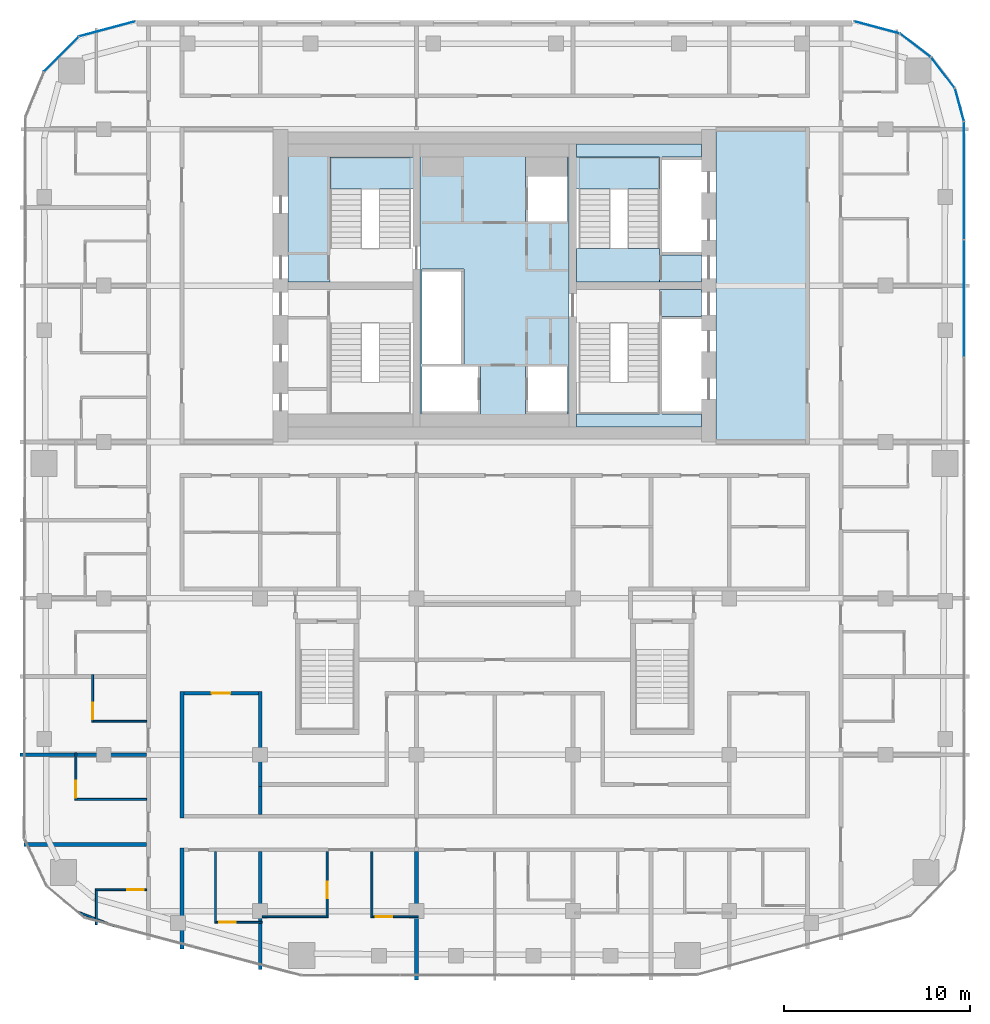
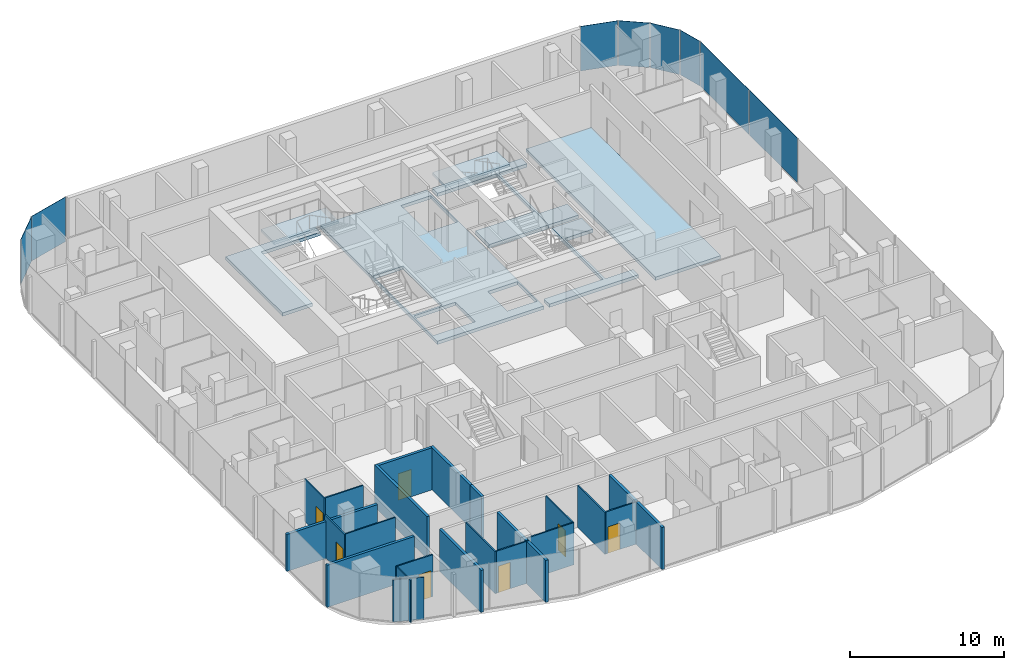
# One storey, part 13 of 22: 22 walls, 8 plates, 8 slabs, 7 doors, 7 openings, 9 elements without a shape of their own.
"""IFC4 building model written with IfcOpenShell, lengths in metres."""

from ifc_helpers import new_model, si_unit, direction, frame, frame_2d, origin, origin_2d, place, context, subcontext, project, spatial, polyline, rectangle, outline, extrude, material, layer, layer_set, type_object, element, fill, aggregate, save


model = new_model("IFC4")

# Units and contexts
model_context = context("Model", 3, precision=1e-05, world=origin(), true_north=direction((0.0, 1.0)))
body_context = subcontext(model_context, "Body", "Model", "MODEL_VIEW")
ifc_project = project(units=[si_unit("LENGTHUNIT", "METRE"), si_unit("AREAUNIT", "SQUARE_METRE"), si_unit("VOLUMEUNIT", "CUBIC_METRE"), si_unit("PLANEANGLEUNIT", "RADIAN"), si_unit("MASSUNIT", "GRAM", prefix="KILO")], contexts=[model_context])

# Site, building, storey
site_placement = place(None, origin())
site = spatial("IfcSite", under=ifc_project, at=site_placement, CompositionType="ELEMENT")
building_placement = place(site_placement, origin())
building = spatial("IfcBuilding", under=site, at=building_placement, Name="Marenta Gate Hotel Tower", CompositionType="ELEMENT")
storey_placement = place(building_placement, frame((0.0, 0.0, 223.699951171875)))
storey = spatial("IfcBuildingStorey", under=building, at=storey_placement, Name="L52", CompositionType="ELEMENT", Elevation=223.699951171875)

# Slabs
ifc_material_1 = material(Name="Concrete C40", Category="concrete")
ifc_layer_1 = layer(ifc_material_1, 0.260009765625)
ifc_layer_set_1 = layer_set([ifc_layer_1], Name="Concrete C40")
slab_type_1 = type_object("IfcSlabType", Name="Core floor slab 260", PredefinedType="FLOOR", material=ifc_layer_set_1)
slab_1_placement = place(storey_placement, frame((0.0, 0.0, -0.260009765625)))
element("IfcSlab", 1, at=slab_1_placement, inside=storey, type_object=slab_type_1, Name="L52-CF-1", PredefinedType="FLOOR", context=body_context, shape_type="SweptSolid", body=[
    extrude(outline(polyline([(11.89990234375, 0.0), (11.89990234375, 16.800048828125), (16.800048828125, 16.800048828125), (16.800048828125, 0.0), (11.89990234375, 0.0)])), origin(), (0.0, 0.0, 1.0), 0.260009765625),
])
slab_2_placement = place(storey_placement, frame((0.0, 0.0, -0.260009765625)))
element("IfcSlab", 2, at=slab_2_placement, inside=storey, type_object=slab_type_1, Name="L52-CF-2", PredefinedType="FLOOR", context=body_context, shape_type="SweptSolid", body=[
    extrude(outline(polyline([(8.85009765625, 1.5), (8.85009765625, 6.39990234375), (8.85009765625, 8.10009765625), (8.85009765625, 8.199951171875), (11.10009765625, 8.199951171875), (11.10009765625, 6.75), (9.0, 6.75), (9.0, 6.60009765625), (9.0, 4.199951171875), (9.0, 4.050048828125), (9.0, 1.64990234375), (9.0, 1.5), (11.10009765625, 1.5), (11.10009765625, 0.800048828125), (4.39990234375, 0.800048828125), (4.39990234375, 1.5), (8.85009765625, 1.5)])), origin(), (0.0, 0.0, 1.0), 0.260009765625),
])
slab_3_placement = place(storey_placement, frame((0.0, 0.0, -0.260009765625)))
element("IfcSlab", 3, at=slab_3_placement, inside=storey, type_object=slab_type_1, Name="L52-CF-3", PredefinedType="FLOOR", context=body_context, shape_type="SweptSolid", body=[
    extrude(outline(polyline([(8.85009765625, 15.300048828125), (4.39990234375, 15.300048828125), (4.39990234375, 16.0), (11.10009765625, 16.0), (11.10009765625, 15.300048828125), (9.0, 15.300048828125), (9.0, 15.14990234375), (9.0, 12.75), (9.0, 12.60009765625), (9.0, 10.199951171875), (9.0, 10.050048828125), (11.10009765625, 10.050048828125), (11.10009765625, 8.60009765625), (8.85009765625, 8.60009765625), (8.85009765625, 8.699951171875), (8.85009765625, 10.39990234375), (8.85009765625, 15.300048828125)])), origin(), (0.0, 0.0, 1.0), 0.260009765625),
])
slab_4_placement = place(storey_placement, frame((0.0, 0.0, -0.260009765625)))
element("IfcSlab", 4, at=slab_4_placement, inside=storey, type_object=slab_type_1, Name="L52-CF-4", PredefinedType="FLOOR", context=body_context, shape_type="SweptSolid", body=[
    extrude(outline(polyline([(4.0, 15.300048828125), (4.0, 10.39990234375), (4.0, 6.39990234375), (4.0, 1.5), (4.0, 0.800048828125), (-4.0, 0.800048828125), (-4.0, 1.5), (-4.0, 6.39990234375), (-4.0, 10.39990234375), (-4.0, 15.300048828125), (-4.0, 16.0), (4.0, 16.0), (4.0, 15.300048828125)]), holes=[polyline([(1.64990234375, 14.25), (1.64990234375, 11.85009765625), (1.800048828125, 11.85009765625), (3.89990234375, 11.85009765625), (3.89990234375, 14.25), (3.89990234375, 15.300048828125), (1.64990234375, 15.300048828125), (1.64990234375, 14.25)]), polyline([(3.89990234375, 1.64990234375), (3.89990234375, 4.050048828125), (1.800048828125, 4.050048828125), (1.64990234375, 4.050048828125), (1.64990234375, 1.64990234375), (1.64990234375, 1.5), (3.89990234375, 1.5), (3.89990234375, 1.64990234375)]), polyline([(-3.89990234375, 1.64990234375), (-3.89990234375, 1.5), (-0.89990234375, 1.5), (-0.75, 1.5), (-0.75, 4.050048828125), (-0.89990234375, 4.050048828125), (-3.89990234375, 4.050048828125), (-3.89990234375, 1.64990234375)]), polyline([(-1.800048828125, 4.199951171875), (-1.64990234375, 4.199951171875), (-1.64990234375, 9.14990234375), (-1.64990234375, 9.300048828125), (-3.89990234375, 9.300048828125), (-3.89990234375, 9.14990234375), (-3.89990234375, 6.75), (-3.89990234375, 6.60009765625), (-3.89990234375, 4.199951171875), (-1.800048828125, 4.199951171875)])]), origin(), (0.0, 0.0, 1.0), 0.260009765625),
])
slab_5_placement = place(storey_placement, frame((0.0, 0.0, -0.260009765625)))
element("IfcSlab", 5, at=slab_5_placement, inside=storey, type_object=slab_type_1, Name="L52-CF-6", PredefinedType="FLOOR", context=body_context, shape_type="SweptSolid", body=[
    extrude(outline(polyline([(-4.39990234375, 15.300048828125), (-8.85009765625, 15.300048828125), (-8.85009765625, 10.39990234375), (-8.85009765625, 8.699951171875), (-8.85009765625, 8.60009765625), (-11.10009765625, 8.60009765625), (-11.10009765625, 16.0), (-4.39990234375, 16.0), (-4.39990234375, 15.300048828125)])), origin(), (0.0, 0.0, 1.0), 0.260009765625),
])

# Stair, slab
ifc_material_2 = material(Name="Concrete C40", Category="concrete")
stair_type = type_object("IfcStairType", Name="Core exit stair 1700 wide", PredefinedType="HALF_TURN_STAIR", material=ifc_material_2)
stair_1_placement = place(storey_placement, origin())
stair_1 = element("IfcStair", 6, at=stair_1_placement, inside=storey, type_object=stair_type, Name="Exit stair 2", PredefinedType="HALF_TURN_STAIR")
ifc_material_3 = material(Name="Concrete C40", Category="concrete")
ifc_layer_2 = layer(ifc_material_3, 0.199951171875)
ifc_layer_set_2 = layer_set([ifc_layer_2], Name="Concrete C40")
slab_type_2 = type_object("IfcSlabType", Name="Core stair landing 200", PredefinedType="LANDING", material=ifc_layer_set_2)
slab_6_placement = place(storey_placement, frame((0.0, 0.0, 1.60009765625)))
slab_6 = element("IfcSlab", 7, at=slab_6_placement, type_object=slab_type_2, Name="SL-200 ST2 landing 1", PredefinedType="LANDING", context=body_context, shape_type="SweptSolid", body=[
    extrude(outline(polyline([(-8.85009765625, 13.590087890625), (-4.0, 13.590087890625), (-4.0, 15.300048828125), (-8.85009765625, 15.300048828125), (-8.85009765625, 13.590087890625)])), origin(), (0.0, 0.0, 1.0), 0.199951171875),
])
aggregate(stair_1, [slab_6])

stair_2_placement = place(storey_placement, origin())
stair_2 = element("IfcStair", 8, at=stair_2_placement, inside=storey, type_object=stair_type, Name="Exit stair 4", PredefinedType="HALF_TURN_STAIR")
slab_7_placement = place(storey_placement, frame((0.0, 0.0, 1.60009765625)))
slab_7 = element("IfcSlab", 9, at=slab_7_placement, type_object=slab_type_2, Name="SL-200 ST4 landing 1", PredefinedType="LANDING", context=body_context, shape_type="SweptSolid", body=[
    extrude(outline(polyline([(4.0, 13.590087890625), (8.85009765625, 13.590087890625), (8.85009765625, 15.300048828125), (4.0, 15.300048828125), (4.0, 13.590087890625)])), origin(), (0.0, 0.0, 1.0), 0.199951171875),
])
aggregate(stair_2, [slab_7])

# Curtain wall, plate
ifc_material_4 = material(Name="Tinted insulated glass in bronze anodised frame", Category="glass")
ifc_layer_3 = layer(ifc_material_4, 0.1201171875)
ifc_layer_set_3 = layer_set([ifc_layer_3], Name="Tinted insulated glass in bronze anodised frame")
curtain_wall_type = type_object("IfcCurtainWallType", Name="Tower unitised curtain wall CW1", PredefinedType="NOTDEFINED", material=ifc_layer_set_3)
curtain_wall_1_placement = place(storey_placement, origin())
curtain_wall_1 = element("IfcCurtainWall", 10, at=curtain_wall_1_placement, inside=storey, type_object=curtain_wall_type, Name="CW1 run G00", PredefinedType="NOTDEFINED")
ifc_material_5 = material(Name="Tinted insulated glass", Category="glass")
ifc_layer_4 = layer(ifc_material_5, 0.028076171875)
ifc_layer_set_4 = layer_set([ifc_layer_4], Name="Tinted insulated glass")
plate_type = type_object("IfcPlateType", Name="Glass panel CW1 28 mm tinted insulated unit", PredefinedType="CURTAIN_PANEL", material=ifc_layer_set_4)
plate_1_placement = place(storey_placement, frame((-20.813720703125, 22.19384765625, 0.06005859375), z_axis=(0.0, 0.0, 1.0), x_axis=(-0.965930559685, -0.258801379183, 0.0)))
plate_1 = element("IfcPlate", 11, at=plate_1_placement, type_object=plate_type, Name="CW1 panel 1.1", PredefinedType="CURTAIN_PANEL", context=body_context, shape_type="SweptSolid", body=[
    extrude(rectangle(XDim=3.104248046875, YDim=0.028076171875, at=origin_2d()), origin(), (0.0, 0.0, 1.0), 3.5400390625),
])
aggregate(curtain_wall_1, [plate_1])

curtain_wall_2_placement = place(storey_placement, origin())
curtain_wall_2 = element("IfcCurtainWall", 12, at=curtain_wall_2_placement, inside=storey, type_object=curtain_wall_type, Name="CW1 run G01", PredefinedType="NOTDEFINED")
plate_2_placement = place(storey_placement, frame((-23.279541015625, 20.825439453125, 0.06005859375), z_axis=(0.0, 0.0, 1.0), x_axis=(-0.707106781187, -0.707106781187, 0.0)))
plate_2 = element("IfcPlate", 13, at=plate_2_placement, type_object=plate_type, Name="CW1 panel 1.1", PredefinedType="CURTAIN_PANEL", context=body_context, shape_type="SweptSolid", body=[
    extrude(rectangle(XDim=2.614013671875, YDim=0.028076171875, at=origin_2d()), origin(), (0.0, 0.0, 1.0), 3.5400390625),
])
aggregate(curtain_wall_2, [plate_2])

# Curtain wall, plates
curtain_wall_3_placement = place(storey_placement, origin())
curtain_wall_3 = element("IfcCurtainWall", 14, at=curtain_wall_3_placement, inside=storey, type_object=curtain_wall_type, Name="CW1 run G11", PredefinedType="NOTDEFINED")
plate_3_placement = place(storey_placement, frame((25.214111328125, 7.7080078125, 0.06005859375), z_axis=(0.0, 0.0, 1.0), x_axis=(0.0, 1.0, 0.0)))
plate_3 = element("IfcPlate", 15, at=plate_3_placement, type_object=plate_type, Name="CW1 panel 5.1", PredefinedType="CURTAIN_PANEL", context=body_context, shape_type="SweptSolid", body=[
    extrude(rectangle(XDim=6.2626953125, YDim=0.028076171875, at=origin_2d()), origin(), (0.0, 0.0, 1.0), 3.5400390625),
])
plate_4_placement = place(storey_placement, frame((25.214111328125, 14.045654296875, 0.06005859375), z_axis=(0.0, 0.0, 1.0), x_axis=(0.0, 1.0, 0.0)))
plate_4 = element("IfcPlate", 16, at=plate_4_placement, type_object=plate_type, Name="CW1 panel 6.1", PredefinedType="CURTAIN_PANEL", context=body_context, shape_type="SweptSolid", body=[
    extrude(rectangle(XDim=6.29248046875, YDim=0.028076171875, at=origin_2d()), origin(), (0.0, 0.0, 1.0), 3.5400390625),
])
aggregate(curtain_wall_3, [plate_3, plate_4])

# Curtain wall, plate
curtain_wall_4_placement = place(storey_placement, origin())
curtain_wall_4 = element("IfcCurtainWall", 17, at=curtain_wall_4_placement, inside=storey, type_object=curtain_wall_type, Name="CW1 run G12", PredefinedType="NOTDEFINED")
plate_5_placement = place(storey_placement, frame((24.96630859375, 18.1162109375, 0.06005859375), z_axis=(0.0, 0.0, 1.0), x_axis=(-0.258824166754, 0.965924453932, 0.0)))
plate_5 = element("IfcPlate", 18, at=plate_5_placement, type_object=plate_type, Name="CW1 panel 1.1", PredefinedType="CURTAIN_PANEL", context=body_context, shape_type="SweptSolid", body=[
    extrude(rectangle(XDim=1.793701171875, YDim=0.028076171875, at=origin_2d()), origin(), (0.0, 0.0, 1.0), 3.5400390625),
])
aggregate(curtain_wall_4, [plate_5])

curtain_wall_5_placement = place(storey_placement, origin())
curtain_wall_5 = element("IfcCurtainWall", 19, at=curtain_wall_5_placement, inside=storey, type_object=curtain_wall_type, Name="CW1 run G13", PredefinedType="NOTDEFINED")
plate_6_placement = place(storey_placement, frame((24.0751953125, 19.84130859375, 0.06005859375), z_axis=(0.0, 0.0, 1.0), x_axis=(-0.608787499222, 0.793333335233, 0.0)))
plate_6 = element("IfcPlate", 20, at=plate_6_placement, type_object=plate_type, Name="CW1 panel 1.1", PredefinedType="CURTAIN_PANEL", context=body_context, shape_type="SweptSolid", body=[
    extrude(rectangle(XDim=2.045166015625, YDim=0.028076171875, at=origin_2d()), origin(), (0.0, 0.0, 1.0), 3.5400390625),
])
aggregate(curtain_wall_5, [plate_6])

curtain_wall_6_placement = place(storey_placement, origin())
curtain_wall_6 = element("IfcCurtainWall", 21, at=curtain_wall_6_placement, inside=storey, type_object=curtain_wall_type, Name="CW1 run G14", PredefinedType="NOTDEFINED")
plate_7_placement = place(storey_placement, frame((22.59375, 21.311767578125, 0.06005859375), z_axis=(0.0, 0.0, 1.0), x_axis=(-0.793333335233, 0.608787499222, 0.0)))
plate_7 = element("IfcPlate", 22, at=plate_7_placement, type_object=plate_type, Name="CW1 panel 1.1", PredefinedType="CURTAIN_PANEL", context=body_context, shape_type="SweptSolid", body=[
    extrude(rectangle(XDim=2.045166015625, YDim=0.028076171875, at=origin_2d()), origin(), (0.0, 0.0, 1.0), 3.5400390625),
])
aggregate(curtain_wall_6, [plate_7])

curtain_wall_7_placement = place(storey_placement, origin())
curtain_wall_7 = element("IfcCurtainWall", 23, at=curtain_wall_7_placement, inside=storey, type_object=curtain_wall_type, Name="CW1 run G15", PredefinedType="NOTDEFINED")
plate_8_placement = place(storey_placement, frame((20.51953125, 22.272705078125, 0.06005859375), z_axis=(0.0, 0.0, 1.0), x_axis=(-0.96592961764, 0.258804895175, 0.0)))
plate_8 = element("IfcPlate", 24, at=plate_8_placement, type_object=plate_type, Name="CW1 panel 1.1", PredefinedType="CURTAIN_PANEL", context=body_context, shape_type="SweptSolid", body=[
    extrude(rectangle(XDim=2.4951171875, YDim=0.028076171875, at=origin_2d()), origin(), (0.0, 0.0, 1.0), 3.5400390625),
])
aggregate(curtain_wall_7, [plate_8])

# Slab
ifc_material_6 = material(Name="Concrete C40", Category="concrete")
ifc_layer_5 = layer(ifc_material_6, 0.300048828125)
ifc_layer_set_5 = layer_set([ifc_layer_5], Name="Concrete C40")
slab_type_3 = type_object("IfcSlabType", Name="Stair floor landing slab 300", PredefinedType="FLOOR", material=ifc_layer_set_5)
slab_8_placement = place(storey_placement, frame((0.0, 0.0, -0.300048828125)))
element("IfcSlab", 25, at=slab_8_placement, inside=storey, type_object=slab_type_3, Name="L52-CL-ST4-1", PredefinedType="FLOOR", context=body_context, shape_type="SweptSolid", body=[
    extrude(outline(polyline([(4.39990234375, 8.60009765625), (4.39990234375, 10.39990234375), (8.85009765625, 10.39990234375), (8.85009765625, 8.699951171875), (8.85009765625, 8.60009765625), (4.39990234375, 8.60009765625)])), origin(), (0.0, 0.0, 1.0), 0.300048828125),
])

# Wall
ifc_material_7 = material(Name="Concrete blockwork", Category="masonry")
ifc_layer_6 = layer(ifc_material_7, 0.199951171875)
ifc_layer_set_6 = layer_set([ifc_layer_6], Name="Concrete blockwork")
wall_type_1 = type_object("IfcWallType", Name="Compartment wall 200 REI 180", PredefinedType="PARTITIONING", material=ifc_layer_set_6)
wall_1_placement = place(storey_placement, frame((-4.199951171875, -28.89990234375, 0.0), z_axis=(0.0, 0.0, 1.0), x_axis=(0.0, 1.0, 0.0)))
element("IfcWall", 26, at=wall_1_placement, inside=storey, type_object=wall_type_1, Name="L52-PTN-W080", PredefinedType="PARTITIONING", context=body_context, shape_type="SweptSolid", body=[
    extrude(rectangle(XDim=6.89990234375, YDim=0.199951171875, at=frame_2d((3.449951171875, 0.0))), origin(), (0.0, 0.0, 1.0), 3.340087890625),
])

# Wall, opening, door
ifc_material_8 = material(Name="Gypsum board on steel stud", Category="steel")
ifc_layer_7 = layer(ifc_material_8, 0.199951171875)
ifc_layer_set_7 = layer_set([ifc_layer_7], Name="Gypsum board on steel stud")
wall_type_2 = type_object("IfcWallType", Name="Room corridor wall 200 EI 60", PredefinedType="PARTITIONING", material=ifc_layer_set_7)
wall_2_placement = place(storey_placement, frame((-16.699951171875, -13.5, 0.0), z_axis=(0.0, 0.0, 1.0), x_axis=(1.0, 0.0, 0.0)))
wall_2 = element("IfcWall", 27, at=wall_2_placement, inside=storey, type_object=wall_type_2, Name="L52-PTN-W033", PredefinedType="PARTITIONING", context=body_context, shape_type="SweptSolid", body=[
    extrude(rectangle(XDim=4.0, YDim=0.199951171875, at=frame_2d((2.0, 0.0))), origin(), (0.0, 0.0, 1.0), 3.340087890625),
])
opening_1_placement = place(wall_2_placement, frame((1.5, 0.0, 0.0)))
opening_1 = element("IfcOpeningElement", 28, at=opening_1_placement, cuts=wall_2, Name="Opening G19-11", PredefinedType="OPENING", context=body_context, shape_type="SweptSolid", body=[
    extrude(rectangle(XDim=1.0, YDim=2.10009765625, at=frame_2d((0.5, 1.050048828125))), frame((0.0, 0.10009765625, 0.0), z_axis=(0.0, -1.0, 0.0), x_axis=(1.0, 0.0, 0.0)), (0.0, 0.0, 1.0), 0.199951171875),
])
ifc_material_9 = material(Name="Timber door leaf", Category="wood")
door_type_1 = type_object("IfcDoorType", Name="Room amenity door 1000x2100 EI 30", OperationType="NOTDEFINED", PredefinedType="DOOR", material=ifc_material_9)
door_1_placement = place(opening_1_placement, origin())
door_1 = element("IfcDoor", 29, at=door_1_placement, inside=storey, type_object=door_type_1, Name="L52-PD-D011", OperationType="SINGLE_SWING_LEFT", OverallHeight=2.10009765625, OverallWidth=1.0, PredefinedType="DOOR", context=body_context, shape_type="SweptSolid", body=[
    extrude(rectangle(XDim=1.0, YDim=2.10009765625, at=frame_2d((0.5, 1.050048828125))), frame((0.0, 0.02490234375, 0.0), z_axis=(0.0, -1.0, 0.0), x_axis=(1.0, 0.0, 0.0)), (0.0, 0.0, 1.0), 0.050048828125),
])
fill(opening_1, door_1)

# Walls
wall_3_placement = place(storey_placement, frame((-12.60009765625, -18.5, 0.0), z_axis=(0.0, 0.0, 1.0), x_axis=(0.0, 1.0, 0.0)))
element("IfcWall", 30, at=wall_3_placement, inside=storey, type_object=wall_type_2, Name="L52-PTN-W099", PredefinedType="PARTITIONING", context=body_context, shape_type="SweptSolid", body=[
    extrude(rectangle(XDim=5.10009765625, YDim=0.199951171875, at=frame_2d((2.550048828125, 0.0))), origin(), (0.0, 0.0, 1.0), 3.340087890625),
])
wall_4_placement = place(storey_placement, frame((-16.800048828125, -27.22900390625, 0.0), z_axis=(0.0, 0.0, 1.0), x_axis=(0.0, 1.0, 0.0)))
element("IfcWall", 31, at=wall_4_placement, inside=storey, type_object=wall_type_2, Name="L52-PTN-W104", PredefinedType="PARTITIONING", context=body_context, shape_type="SweptSolid", body=[
    extrude(rectangle(XDim=5.428955078125, YDim=0.199951171875, at=frame_2d((2.71435546875, 0.0))), origin(), (0.0, 0.0, 1.0), 3.340087890625),
])
wall_5_placement = place(storey_placement, frame((-16.800048828125, -20.199951171875, 0.0), z_axis=(0.0, 0.0, 1.0), x_axis=(0.0, 1.0, 0.0)))
element("IfcWall", 32, at=wall_5_placement, inside=storey, type_object=wall_type_2, Name="L52-PTN-W105", PredefinedType="PARTITIONING", context=body_context, shape_type="SweptSolid", body=[
    extrude(rectangle(XDim=6.800048828125, YDim=0.199951171875, at=frame_2d((3.39990234375, 0.0))), origin(), (0.0, 0.0, 1.0), 3.340087890625),
])
ifc_material_10 = material(Name="Gypsum board on steel stud", Category="steel")
ifc_layer_8 = layer(ifc_material_10, 0.10009765625)
ifc_layer_set_8 = layer_set([ifc_layer_8], Name="Gypsum board on steel stud")
wall_type_3 = type_object("IfcWallType", Name="Room partition 100", PredefinedType="PARTITIONING", material=ifc_layer_set_8)
wall_6_placement = place(storey_placement, frame((-22.385986328125, -25.2470703125, 0.0), z_axis=(0.0, 0.0, 1.0), x_axis=(0.932741240306, -0.360546499959, 0.0)))
element("IfcWall", 33, at=wall_6_placement, inside=storey, type_object=wall_type_3, Name="L52-PTN-W001", PredefinedType="PARTITIONING", context=body_context, shape_type="SweptSolid", body=[
    extrude(rectangle(XDim=2.06591796875, YDim=0.10009765625, at=frame_2d((1.032958984375, 0.0))), origin(), (0.0, 0.0, 1.0), 3.340087890625),
])

# Wall, opening, door
wall_7_placement = place(storey_placement, frame((-14.949951171875, -25.800048828125, 0.0), z_axis=(0.0, 0.0, 1.0), x_axis=(1.0, 0.0, 0.0)))
wall_7 = element("IfcWall", 34, at=wall_7_placement, inside=storey, type_object=wall_type_3, Name="L52-PTN-W002", PredefinedType="PARTITIONING", context=body_context, shape_type="SweptSolid", body=[
    extrude(rectangle(XDim=2.449951171875, YDim=0.10009765625, at=frame_2d((1.22509765625, 0.0))), origin(), (0.0, 0.0, 1.0), 3.340087890625),
])
opening_2_placement = place(wall_7_placement, frame((0.14990234375, 0.0, 0.0)))
opening_2 = element("IfcOpeningElement", 35, at=opening_2_placement, cuts=wall_7, Name="Opening G19-37", PredefinedType="OPENING", context=body_context, shape_type="SweptSolid", body=[
    extrude(rectangle(XDim=0.89990234375, YDim=2.10009765625, at=frame_2d((0.449951171875, 1.050048828125))), frame((0.0, 0.050048828125, 0.0), z_axis=(0.0, -1.0, 0.0), x_axis=(1.0, 0.0, 0.0)), (0.0, 0.0, 1.0), 0.10009765625),
])
ifc_material_11 = material(Name="Timber door leaf", Category="wood")
door_type_2 = type_object("IfcDoorType", Name="Guest bathroom door 900x2100", OperationType="NOTDEFINED", PredefinedType="DOOR", material=ifc_material_11)
door_2_placement = place(opening_2_placement, origin())
door_2 = element("IfcDoor", 36, at=door_2_placement, inside=storey, type_object=door_type_2, Name="L52-PD-D037", OperationType="SINGLE_SWING_LEFT", OverallHeight=2.10009765625, OverallWidth=0.89990234375, PredefinedType="DOOR", context=body_context, shape_type="SweptSolid", body=[
    extrude(rectangle(XDim=0.89990234375, YDim=2.10009765625, at=frame_2d((0.449951171875, 1.050048828125))), frame((0.0, 0.02490234375, 0.0), z_axis=(0.0, -1.0, 0.0), x_axis=(1.0, 0.0, 0.0)), (0.0, 0.0, 1.0), 0.050048828125),
])
fill(opening_2, door_2)

# Wall
wall_8_placement = place(storey_placement, frame((-12.5, -25.5, 0.0), z_axis=(0.0, 0.0, 1.0), x_axis=(1.0, 0.0, 0.0)))
element("IfcWall", 37, at=wall_8_placement, inside=storey, type_object=wall_type_3, Name="L52-PTN-W003", PredefinedType="PARTITIONING", context=body_context, shape_type="SweptSolid", body=[
    extrude(rectangle(XDim=3.550048828125, YDim=0.10009765625, at=frame_2d((1.77490234375, 0.0))), origin(), (0.0, 0.0, 1.0), 3.340087890625),
])

# Wall, opening, door
wall_9_placement = place(storey_placement, frame((-6.550048828125, -25.5, 0.0), z_axis=(0.0, 0.0, 1.0), x_axis=(1.0, 0.0, 0.0)))
wall_9 = element("IfcWall", 38, at=wall_9_placement, inside=storey, type_object=wall_type_3, Name="L52-PTN-W004", PredefinedType="PARTITIONING", context=body_context, shape_type="SweptSolid", body=[
    extrude(rectangle(XDim=2.449951171875, YDim=0.10009765625, at=frame_2d((1.22509765625, 0.0))), origin(), (0.0, 0.0, 1.0), 3.340087890625),
])
opening_3_placement = place(wall_9_placement, frame((0.14990234375, 0.0, 0.0)))
opening_3 = element("IfcOpeningElement", 39, at=opening_3_placement, cuts=wall_9, Name="Opening G19-40", PredefinedType="OPENING", context=body_context, shape_type="SweptSolid", body=[
    extrude(rectangle(XDim=0.89990234375, YDim=2.10009765625, at=frame_2d((0.449951171875, 1.050048828125))), frame((0.0, 0.050048828125, 0.0), z_axis=(0.0, -1.0, 0.0), x_axis=(1.0, 0.0, 0.0)), (0.0, 0.0, 1.0), 0.10009765625),
])
ifc_material_12 = material(Name="Timber door leaf", Category="wood")
door_type_3 = type_object("IfcDoorType", Name="Room inner door 900x2100", OperationType="NOTDEFINED", PredefinedType="DOOR", material=ifc_material_12)
door_3_placement = place(opening_3_placement, origin())
door_3 = element("IfcDoor", 40, at=door_3_placement, inside=storey, type_object=door_type_3, Name="L52-PD-D040", OperationType="SINGLE_SWING_LEFT", OverallHeight=2.10009765625, OverallWidth=0.89990234375, PredefinedType="DOOR", context=body_context, shape_type="SweptSolid", body=[
    extrude(rectangle(XDim=0.89990234375, YDim=2.10009765625, at=frame_2d((0.449951171875, 1.050048828125))), frame((0.0, 0.02490234375, 0.0), z_axis=(0.0, -1.0, 0.0), x_axis=(1.0, 0.0, 0.0)), (0.0, 0.0, 1.0), 0.050048828125),
])
fill(opening_3, door_3)

wall_10_placement = place(storey_placement, frame((-21.449951171875, -24.051025390625, 0.0), z_axis=(0.0, 0.0, 1.0), x_axis=(1.0, 0.0, 0.0)))
wall_10 = element("IfcWall", 41, at=wall_10_placement, inside=storey, type_object=wall_type_3, Name="L52-PTN-W009", PredefinedType="PARTITIONING", context=body_context, shape_type="SweptSolid", body=[
    extrude(rectangle(XDim=2.75, YDim=0.10009765625, at=frame_2d((1.375, 0.0))), origin(), (0.0, 0.0, 1.0), 3.340087890625),
])
opening_4_placement = place(wall_10_placement, frame((1.7099609375, 0.0, 0.0)))
opening_4 = element("IfcOpeningElement", 42, at=opening_4_placement, cuts=wall_10, Name="Opening G19-51", PredefinedType="OPENING", context=body_context, shape_type="SweptSolid", body=[
    extrude(rectangle(XDim=0.89990234375, YDim=2.10009765625, at=frame_2d((0.449951171875, 1.050048828125))), frame((0.0, 0.050048828125, 0.0), z_axis=(0.0, -1.0, 0.0), x_axis=(1.0, 0.0, 0.0)), (0.0, 0.0, 1.0), 0.10009765625),
])
door_4_placement = place(opening_4_placement, origin())
door_4 = element("IfcDoor", 43, at=door_4_placement, inside=storey, type_object=door_type_2, Name="L52-PD-D051", OperationType="SINGLE_SWING_LEFT", OverallHeight=2.10009765625, OverallWidth=0.89990234375, PredefinedType="DOOR", context=body_context, shape_type="SweptSolid", body=[
    extrude(rectangle(XDim=0.89990234375, YDim=2.10009765625, at=frame_2d((0.449951171875, 1.050048828125))), frame((0.0, 0.02490234375, 0.0), z_axis=(0.0, -1.0, 0.0), x_axis=(1.0, 0.0, 0.0)), (0.0, 0.0, 1.0), 0.050048828125),
])
fill(opening_4, door_4)

# Walls
wall_11_placement = place(storey_placement, frame((-22.449951171875, -19.199951171875, 0.0), z_axis=(0.0, 0.0, 1.0), x_axis=(1.0, 0.0, 0.0)))
element("IfcWall", 44, at=wall_11_placement, inside=storey, type_object=wall_type_3, Name="L52-PTN-W020", PredefinedType="PARTITIONING", context=body_context, shape_type="SweptSolid", body=[
    extrude(rectangle(XDim=3.75, YDim=0.10009765625, at=frame_2d((1.875, 0.0))), origin(), (0.0, 0.0, 1.0), 3.340087890625),
])
wall_12_placement = place(storey_placement, frame((-21.550048828125, -15.0, 0.0), z_axis=(0.0, 0.0, 1.0), x_axis=(1.0, 0.0, 0.0)))
element("IfcWall", 45, at=wall_12_placement, inside=storey, type_object=wall_type_3, Name="L52-PTN-W030", PredefinedType="PARTITIONING", context=body_context, shape_type="SweptSolid", body=[
    extrude(rectangle(XDim=2.85009765625, YDim=0.10009765625, at=frame_2d((1.425048828125, 0.0))), origin(), (0.0, 0.0, 1.0), 3.340087890625),
])
wall_13_placement = place(storey_placement, frame((-6.60009765625, -25.550048828125, 0.0), z_axis=(0.0, 0.0, 1.0), x_axis=(0.0, 1.0, 0.0)))
element("IfcWall", 46, at=wall_13_placement, inside=storey, type_object=wall_type_3, Name="L52-PTN-W086", PredefinedType="PARTITIONING", context=body_context, shape_type="SweptSolid", body=[
    extrude(rectangle(XDim=3.550048828125, YDim=0.10009765625, at=frame_2d((1.77490234375, 0.0))), origin(), (0.0, 0.0, 1.0), 3.340087890625),
])

# Wall, opening, door
wall_14_placement = place(storey_placement, frame((-9.0, -25.449951171875, 0.0), z_axis=(0.0, 0.0, 1.0), x_axis=(0.0, 1.0, 0.0)))
wall_14 = element("IfcWall", 47, at=wall_14_placement, inside=storey, type_object=wall_type_3, Name="L52-PTN-W091", PredefinedType="PARTITIONING", context=body_context, shape_type="SweptSolid", body=[
    extrude(rectangle(XDim=3.449951171875, YDim=0.10009765625, at=frame_2d((1.72509765625, 0.0))), origin(), (0.0, 0.0, 1.0), 3.340087890625),
])
opening_5_placement = place(wall_14_placement, frame((0.93994140625, 0.0, 0.0)))
opening_5 = element("IfcOpeningElement", 48, at=opening_5_placement, cuts=wall_14, Name="Opening G19-39", PredefinedType="OPENING", context=body_context, shape_type="SweptSolid", body=[
    extrude(rectangle(XDim=0.89990234375, YDim=2.10009765625, at=frame_2d((0.449951171875, 1.050048828125))), frame((0.0, 0.050048828125, 0.0), z_axis=(0.0, -1.0, 0.0), x_axis=(1.0, 0.0, 0.0)), (0.0, 0.0, 1.0), 0.10009765625),
])
door_5_placement = place(opening_5_placement, origin())
door_5 = element("IfcDoor", 49, at=door_5_placement, inside=storey, type_object=door_type_2, Name="L52-PD-D039", OperationType="SINGLE_SWING_LEFT", OverallHeight=2.10009765625, OverallWidth=0.89990234375, PredefinedType="DOOR", context=body_context, shape_type="SweptSolid", body=[
    extrude(rectangle(XDim=0.89990234375, YDim=2.10009765625, at=frame_2d((0.449951171875, 1.050048828125))), frame((0.0, 0.02490234375, 0.0), z_axis=(0.0, -1.0, 0.0), x_axis=(1.0, 0.0, 0.0)), (0.0, 0.0, 1.0), 0.050048828125),
])
fill(opening_5, door_5)

# Walls
wall_15_placement = place(storey_placement, frame((-15.0, -25.85009765625, 0.0), z_axis=(0.0, 0.0, 1.0), x_axis=(0.0, 1.0, 0.0)))
element("IfcWall", 50, at=wall_15_placement, inside=storey, type_object=wall_type_3, Name="L52-PTN-W103", PredefinedType="PARTITIONING", context=body_context, shape_type="SweptSolid", body=[
    extrude(rectangle(XDim=3.85009765625, YDim=0.10009765625, at=frame_2d((1.925048828125, 0.0))), origin(), (0.0, 0.0, 1.0), 3.340087890625),
])
wall_16_placement = place(storey_placement, frame((-21.39990234375, -25.927978515625, 0.0), z_axis=(0.0, 0.0, 1.0), x_axis=(0.0, 1.0, 0.0)))
element("IfcWall", 51, at=wall_16_placement, inside=storey, type_object=wall_type_3, Name="L52-PTN-W114", PredefinedType="PARTITIONING", context=body_context, shape_type="SweptSolid", body=[
    extrude(rectangle(XDim=1.826904296875, YDim=0.10009765625, at=frame_2d((0.91357421875, 0.0))), origin(), (0.0, 0.0, 1.0), 3.340087890625),
])

# Wall, opening, door
wall_17_placement = place(storey_placement, frame((-21.60009765625, -15.050048828125, 0.0), z_axis=(0.0, 0.0, 1.0), x_axis=(0.0, 1.0, 0.0)))
wall_17 = element("IfcWall", 52, at=wall_17_placement, inside=storey, type_object=wall_type_3, Name="L52-PTN-W116", PredefinedType="PARTITIONING", context=body_context, shape_type="SweptSolid", body=[
    extrude(rectangle(XDim=2.550048828125, YDim=0.10009765625, at=frame_2d((1.27490234375, 0.0))), origin(), (0.0, 0.0, 1.0), 3.340087890625),
])
opening_6_placement = place(wall_17_placement, frame((0.14990234375, 0.0, 0.0)))
opening_6 = element("IfcOpeningElement", 53, at=opening_6_placement, cuts=wall_17, Name="Opening G19-55", PredefinedType="OPENING", context=body_context, shape_type="SweptSolid", body=[
    extrude(rectangle(XDim=0.89990234375, YDim=2.10009765625, at=frame_2d((0.449951171875, 1.050048828125))), frame((0.0, 0.050048828125, 0.0), z_axis=(0.0, -1.0, 0.0), x_axis=(1.0, 0.0, 0.0)), (0.0, 0.0, 1.0), 0.10009765625),
])
door_6_placement = place(opening_6_placement, origin())
door_6 = element("IfcDoor", 54, at=door_6_placement, inside=storey, type_object=door_type_2, Name="L52-PD-D055", OperationType="SINGLE_SWING_RIGHT", OverallHeight=2.10009765625, OverallWidth=0.89990234375, PredefinedType="DOOR", context=body_context, shape_type="SweptSolid", body=[
    extrude(rectangle(XDim=0.89990234375, YDim=2.10009765625, at=frame_2d((0.449951171875, 1.050048828125))), frame((0.0, 0.02490234375, 0.0), z_axis=(0.0, -1.0, 0.0), x_axis=(1.0, 0.0, 0.0)), (0.0, 0.0, 1.0), 0.050048828125),
])
fill(opening_6, door_6)

wall_18_placement = place(storey_placement, frame((-22.5, -19.25, 0.0), z_axis=(0.0, 0.0, 1.0), x_axis=(0.0, 1.0, 0.0)))
wall_18 = element("IfcWall", 55, at=wall_18_placement, inside=storey, type_object=wall_type_3, Name="L52-PTN-W121", PredefinedType="PARTITIONING", context=body_context, shape_type="SweptSolid", body=[
    extrude(rectangle(XDim=2.550048828125, YDim=0.10009765625, at=frame_2d((1.27490234375, 0.0))), origin(), (0.0, 0.0, 1.0), 3.340087890625),
])
opening_7_placement = place(wall_18_placement, frame((0.14990234375, 0.0, 0.0)))
opening_7 = element("IfcOpeningElement", 56, at=opening_7_placement, cuts=wall_18, Name="Opening G19-53", PredefinedType="OPENING", context=body_context, shape_type="SweptSolid", body=[
    extrude(rectangle(XDim=0.89990234375, YDim=2.10009765625, at=frame_2d((0.449951171875, 1.050048828125))), frame((0.0, 0.050048828125, 0.0), z_axis=(0.0, -1.0, 0.0), x_axis=(1.0, 0.0, 0.0)), (0.0, 0.0, 1.0), 0.10009765625),
])
door_7_placement = place(opening_7_placement, origin())
door_7 = element("IfcDoor", 57, at=door_7_placement, inside=storey, type_object=door_type_2, Name="L52-PD-D053", OperationType="SINGLE_SWING_RIGHT", OverallHeight=2.10009765625, OverallWidth=0.89990234375, PredefinedType="DOOR", context=body_context, shape_type="SweptSolid", body=[
    extrude(rectangle(XDim=0.89990234375, YDim=2.10009765625, at=frame_2d((0.449951171875, 1.050048828125))), frame((0.0, 0.02490234375, 0.0), z_axis=(0.0, -1.0, 0.0), x_axis=(1.0, 0.0, 0.0)), (0.0, 0.0, 1.0), 0.050048828125),
])
fill(opening_7, door_7)

# Walls
ifc_material_13 = material(Name="Gypsum board on steel stud", Category="steel")
ifc_layer_9 = layer(ifc_material_13, 0.199951171875)
ifc_layer_set_9 = layer_set([ifc_layer_9], Name="Gypsum board on steel stud")
wall_type_4 = type_object("IfcWallType", Name="Room party wall 200 EI 60", PredefinedType="PARTITIONING", material=ifc_layer_set_9)
wall_19_placement = place(storey_placement, frame((-25.27587890625, -21.625, 0.0), z_axis=(0.0, 0.0, 1.0), x_axis=(1.0, 0.0, 0.0)))
element("IfcWall", 58, at=wall_19_placement, inside=storey, type_object=wall_type_4, Name="L52-PTN-W016", PredefinedType="PARTITIONING", context=body_context, shape_type="SweptSolid", body=[
    extrude(rectangle(XDim=6.575927734375, YDim=0.199951171875, at=frame_2d((3.2880859375, 0.0))), origin(), (0.0, 0.0, 1.0), 3.340087890625),
])
wall_20_placement = place(storey_placement, frame((-25.5, -16.800048828125, 0.0), z_axis=(0.0, 0.0, 1.0), x_axis=(1.0, 0.0, 0.0)))
element("IfcWall", 59, at=wall_20_placement, inside=storey, type_object=wall_type_4, Name="L52-PTN-W028", PredefinedType="PARTITIONING", context=body_context, shape_type="SweptSolid", body=[
    extrude(rectangle(XDim=6.800048828125, YDim=0.199951171875, at=frame_2d((3.39990234375, 0.0))), origin(), (0.0, 0.0, 1.0), 2.93994140625),
])
wall_21_placement = place(storey_placement, frame((-12.60009765625, -28.343017578125, 0.0), z_axis=(0.0, 0.0, 1.0), x_axis=(0.0, 1.0, 0.0)))
element("IfcWall", 60, at=wall_21_placement, inside=storey, type_object=wall_type_4, Name="L52-PTN-W095", PredefinedType="PARTITIONING", context=body_context, shape_type="SweptSolid", body=[
    extrude(rectangle(XDim=6.343017578125, YDim=0.199951171875, at=frame_2d((3.17138671875, 0.0))), origin(), (0.0, 0.0, 1.0), 3.340087890625),
])
wall_22_placement = place(storey_placement, frame((-12.60009765625, -20.0, 0.0), z_axis=(0.0, 0.0, 1.0), x_axis=(0.0, 1.0, 0.0)))
element("IfcWall", 61, at=wall_22_placement, inside=storey, type_object=wall_type_4, Name="L52-PTN-W096", PredefinedType="PARTITIONING", context=body_context, shape_type="SweptSolid", body=[
    extrude(rectangle(XDim=1.5, YDim=0.199951171875, at=frame_2d((0.75, 0.0))), origin(), (0.0, 0.0, 1.0), 3.340087890625),
])

save(model, "model.ifc")
